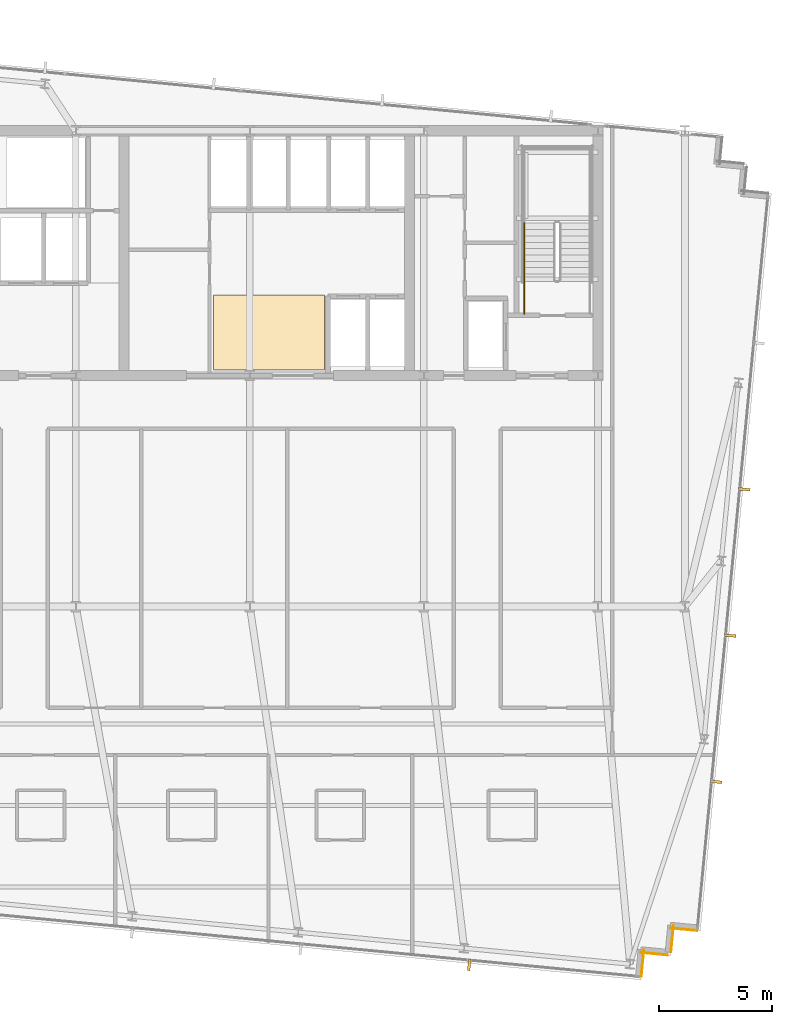
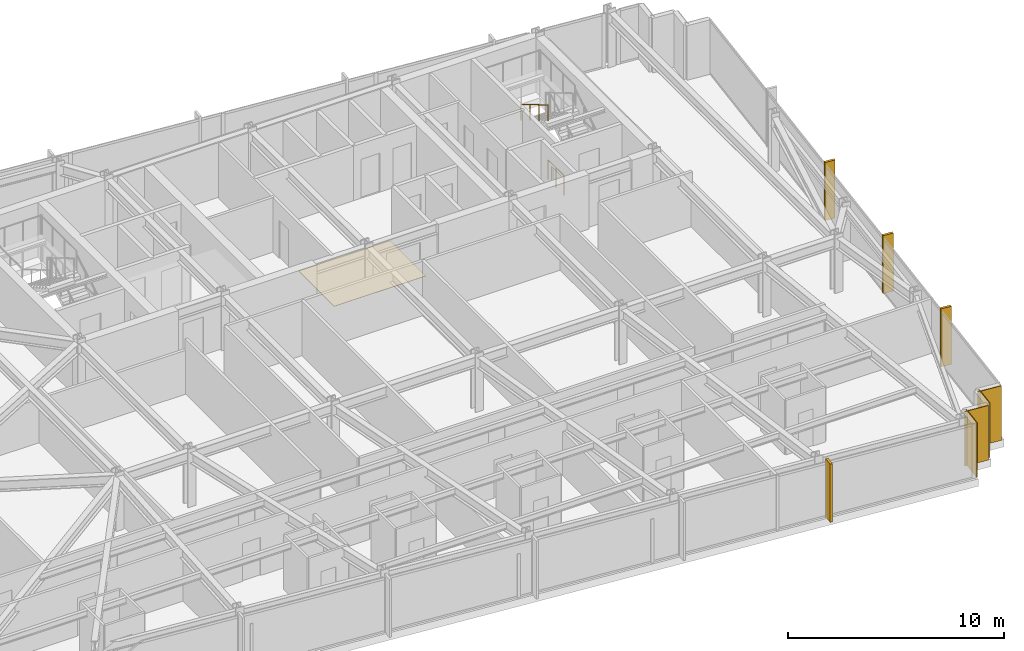
# One storey, part 34 of 37: 5 coverings, 4 shading devices, 2 railings.
"""IFC4 building model written with IfcOpenShell, lengths in metres."""

from ifc_helpers import new_model, si_unit, direction, frame, frame_2d, origin, origin_2d, place, context, subcontext, project, spatial, polyline, rectangle, circle, outline, extrude, material, layer, layer_set, type_object, element, save


model = new_model("IFC4")

# Units and contexts
model_context = context("Model", 3, precision=1e-05, world=origin(), true_north=direction((0.0, 1.0)))
body_context = subcontext(model_context, "Body", "Model", "MODEL_VIEW")
ifc_project = project(units=[si_unit("LENGTHUNIT", "METRE"), si_unit("AREAUNIT", "SQUARE_METRE"), si_unit("VOLUMEUNIT", "CUBIC_METRE"), si_unit("PLANEANGLEUNIT", "RADIAN"), si_unit("MASSUNIT", "GRAM", prefix="KILO")], contexts=[model_context])

# Site, building, storey
site_placement = place(None, origin())
site = spatial("IfcSite", under=ifc_project, at=site_placement, CompositionType="ELEMENT")
building_placement = place(site_placement, origin())
building = spatial("IfcBuilding", under=site, at=building_placement, Name="Yelkora Congress Tower", CompositionType="ELEMENT")
storey_placement = place(building_placement, frame((0.0, 0.0, 149.0)))
storey = spatial("IfcBuildingStorey", under=building, at=storey_placement, Name="L40", CompositionType="ELEMENT", Elevation=149.0)

# Coverings
ifc_material_1 = material(Name="Anatolian bush-hammered limestone", Category="masonry")
ifc_layer_1 = layer(ifc_material_1, 0.0400390625)
ifc_layer_set_1 = layer_set([ifc_layer_1], Name="Anatolian bush-hammered limestone")
covering_type_1 = type_object("IfcCoveringType", Name="COV-CLAD-SPANDREL-40", PredefinedType="CLADDING", material=ifc_layer_set_1)
covering_1_placement = place(storey_placement, frame((58.1474609375, 10.898681640625, 0.0), z_axis=(0.0, 0.0, 1.0), x_axis=(-0.995379537303, 0.096018626938, 0.0)))
element("IfcCovering", 1, at=covering_1_placement, inside=storey, type_object=covering_type_1, Name="L40 Anatolian Limestone Cladding EW-L40-SR16", PredefinedType="CLADDING", context=body_context, shape_type="SweptSolid", body=[
    extrude(rectangle(XDim=1.2001953125, YDim=0.0400390625, at=frame_2d((0.60009765625, 0.0))), origin(), (0.0, 0.0, 1.0), 3.080078125),
])
covering_2_placement = place(storey_placement, frame((57.10009765625, 11.13525390625, 0.0), z_axis=(0.0, 0.0, 1.0), x_axis=(-0.095836473879, -0.995397091755, 0.0)))
element("IfcCovering", 2, at=covering_2_placement, inside=storey, type_object=covering_type_1, Name="L40 Anatolian Limestone Cladding EW-L40-SR17", PredefinedType="CLADDING", context=body_context, shape_type="SweptSolid", body=[
    extrude(rectangle(XDim=1.199951171875, YDim=0.0400390625, at=frame_2d((0.60009765625, 0.0))), origin(), (0.0, 0.0, 1.0), 3.080078125),
])
for number, where, z_axis, x_axis, name in (
    (3, (56.837890625, 9.8193359375, 0.0), (0.0, 0.0, 1.0), (-0.995398960025, 0.095817067274, 0.0), "L40 Anatolian Limestone Cladding EW-L40-SR18"),
    (4, (55.790771484375, 10.055908203125, 0.0), (0.0, 0.0, 1.0), (-0.095817067274, -0.995398960025, 0.0), "L40 Anatolian Limestone Cladding EW-L40-SR19"),
):
    element("IfcCovering", number, at=place(storey_placement, frame(where, z_axis=z_axis, x_axis=x_axis)), inside=storey, type_object=covering_type_1, Name=name, PredefinedType="CLADDING", context=body_context, shape_type="SweptSolid", body=[
        extrude(rectangle(XDim=1.2001953125, YDim=0.0400390625, at=frame_2d((0.60009765625, 0.0))), origin(), (0.0, 0.0, 1.0), 3.080078125),
    ])
ifc_material_2 = material(Name="Polished Anatolian grey granite tile", Category="masonry")
ifc_layer_2 = layer(ifc_material_2, 0.02001953125)
ifc_layer_set_2 = layer_set([ifc_layer_2], Name="Polished Anatolian grey granite tile")
covering_type_2 = type_object("IfcCoveringType", Name="COV-FLOOR-GRANITE-20", PredefinedType="FLOORING", material=ifc_layer_set_2)
covering_3_placement = place(storey_placement, origin())
element("IfcCovering", 5, at=covering_3_placement, inside=storey, type_object=covering_type_2, Name="L40 Lift Lobby Granite Flooring", PredefinedType="FLOORING", context=body_context, shape_type="SweptSolid", body=[
    extrude(outline(polyline([(36.800048828125, 35.64990234375), (41.699951171875, 35.64990234375), (41.699951171875, 38.949951171875), (36.800048828125, 38.949951171875), (36.800048828125, 35.64990234375)])), origin(), (0.0, 0.0, 1.0), 0.02001953125),
])

# Railings
ifc_material_3 = material(Name="Painted galvanised steel stair well guard with vertical infill", Category="steel")
ifc_layer_3 = layer(ifc_material_3, 0.06005859375)
ifc_layer_set_3 = layer_set([ifc_layer_3], Name="Painted galvanised steel stair well guard with vertical infill")
railing_type_1 = type_object("IfcRailingType", Name="RAIL-STAIR-GUARD-1120", PredefinedType="GUARDRAIL", material=ifc_layer_set_3)
railing_1_placement = place(storey_placement, frame((50.510009765625, 38.1201171875, 0.0)))
element("IfcRailing", 6, at=railing_1_placement, inside=storey, type_object=railing_type_1, Name="ST-02 L40 Stair Well Guardrail 9", PredefinedType="GUARDRAIL", context=body_context, shape_type="SweptSolid", body=[
    extrude(circle(Radius=0.02392578125, at=origin_2d()), frame((0.0, 0.0, 1.09619140625), z_axis=(0.0, 1.0, 0.0), x_axis=(-1.0, 0.0, 0.0)), (0.0, 0.0, 1.0), 1.47998046875),
    extrude(circle(Radius=0.02099609375, at=origin_2d()), origin(), (0.0, 0.0, 1.0), 1.072021484375),
    extrude(circle(Radius=0.02099609375, at=origin_2d()), frame((0.0, 0.739990234375, 0.0)), (0.0, 0.0, 1.0), 1.072021484375),
    extrude(circle(Radius=0.02099609375, at=origin_2d()), frame((0.0, 1.47998046875, 0.0)), (0.0, 0.0, 1.0), 1.072021484375),
])
ifc_material_4 = material(Name="Brushed stainless steel tubular handrail", Category="steel")
ifc_layer_4 = layer(ifc_material_4, 0.050048828125)
ifc_layer_set_4 = layer_set([ifc_layer_4], Name="Brushed stainless steel tubular handrail")
railing_type_2 = type_object("IfcRailingType", Name="RAIL-STAIR-HAND-920", PredefinedType="HANDRAIL", material=ifc_layer_set_4)
railing_2_placement = place(storey_placement, frame((50.510009765625, 42.1201171875, 1.81494140625)))
element("IfcRailing", 7, at=railing_2_placement, inside=storey, type_object=railing_type_2, Name="ST-02 L40 Pitch Handrail 2", PredefinedType="HANDRAIL", context=body_context, shape_type="SweptSolid", body=[
    extrude(circle(Radius=0.02392578125, at=origin_2d()), frame((0.0, 0.0, 0.89599609375), z_axis=(0.0, -0.86152411907, 0.507716645641), x_axis=(1.0, 0.0, 0.0)), (0.0, 0.0, 1.0), 2.925048828125),
    extrude(circle(Radius=0.02099609375, at=origin_2d()), origin(), (0.0, 0.0, 1.0), 0.871826171875),
    extrude(circle(Radius=0.02099609375, at=origin_2d()), frame((0.0, -0.840087890625, 0.4951171875)), (0.0, 0.0, 1.0), 0.871826171875),
    extrude(circle(Radius=0.02099609375, at=origin_2d()), frame((0.0, -1.679931640625, 0.989990234375)), (0.0, 0.0, 1.0), 0.871826171875),
    extrude(circle(Radius=0.02099609375, at=origin_2d()), frame((0.0, -2.52001953125, 1.485107421875)), (0.0, 0.0, 1.0), 0.871826171875),
])

# Shading devices
ifc_material_5 = material(Name="Champagne anodised aluminium", Category="aluminium")
ifc_layer_5 = layer(ifc_material_5, 3.300048828125)
ifc_layer_set_5 = layer_set([ifc_layer_5], Name="Champagne anodised aluminium")
shading_device_type = type_object("IfcShadingDeviceType", Name="SHD-FIN-ALU-520", PredefinedType="USERDEFINED", material=ifc_layer_set_5)
for number, where, z_axis, x_axis, name in (
    (8, (60.223876953125, 30.37646484375, -0.02978515625), (0.0, 0.0, 1.0), (-0.09584575252, -0.995396198367, 0.0), "L40 Vertical Anodised Solar Fin 15-2"),
    (9, (59.602294921875, 23.92236328125, -0.02978515625), (0.0, 0.0, 1.0), (-0.09584575252, -0.995396198367, 0.0), "L40 Vertical Anodised Solar Fin 15-3"),
    (10, (58.98095703125, 17.46826171875, -0.02978515625), (0.0, 0.0, 1.0), (-0.09584575252, -0.995396198367, 0.0), "L40 Vertical Anodised Solar Fin 15-4"),
    (11, (48.082275390625, 9.3916015625, -0.02978515625), (0.0, 0.0, 1.0), (-0.995396198367, 0.09584575252, 0.0), "L40 Vertical Anodised Solar Fin 20-1"),
):
    element("IfcShadingDevice", number, at=place(storey_placement, frame(where, z_axis=z_axis, x_axis=x_axis)), inside=storey, type_object=shading_device_type, Name=name, ObjectType="FIN", PredefinedType="USERDEFINED", context=body_context, shape_type="SweptSolid", body=[
        extrude(rectangle(XDim=0.1201171875, YDim=0.52001953125, at=origin_2d()), origin(), (0.0, 0.0, 1.0), 3.280029296875),
    ])

save(model, "model.ifc")
